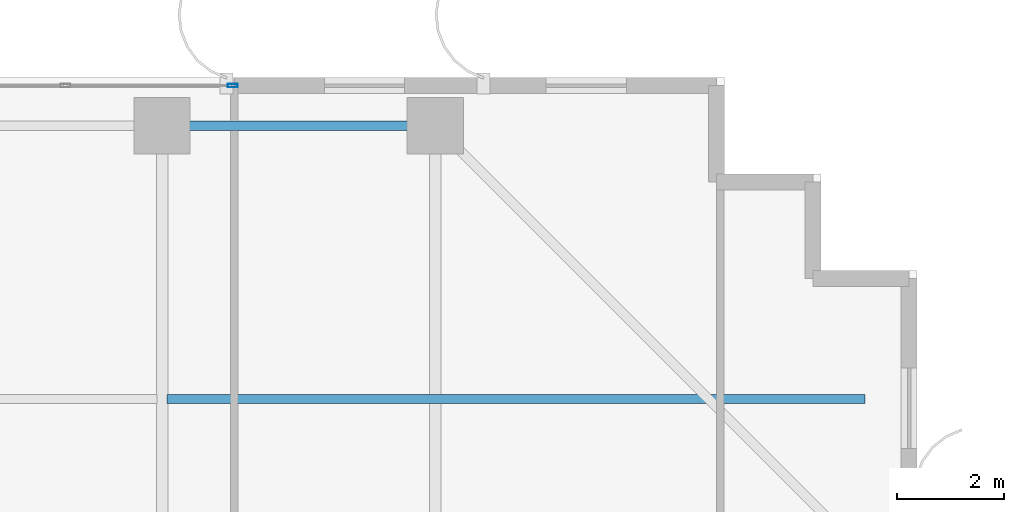
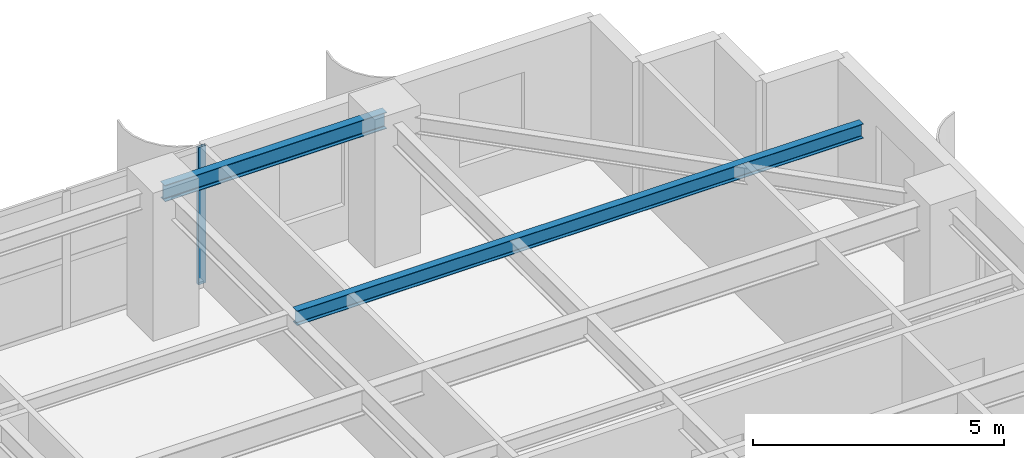
# One storey, part 16 of 25: 2 beams, 1 member, 1 element without a shape of its own.
"""IFC4 building model written with IfcOpenShell, lengths in metres."""

from ifc_helpers import new_model, si_unit, direction, frame, origin, origin_2d, place, context, subcontext, project, spatial, hollow_rectangle, i_section, extrude, source, transform, mapped, material, layer, layer_set, material_profile, profile_set, type_object, element, aggregate, save


model = new_model("IFC4")

# Units and contexts
model_context = context("Model", 3, precision=1e-05, world=origin(), true_north=direction((0.0, 1.0)))
body_context = subcontext(model_context, "Body", "Model", "MODEL_VIEW")
ifc_project = project(units=[si_unit("LENGTHUNIT", "METRE"), si_unit("AREAUNIT", "SQUARE_METRE"), si_unit("VOLUMEUNIT", "CUBIC_METRE"), si_unit("PLANEANGLEUNIT", "RADIAN"), si_unit("MASSUNIT", "GRAM", prefix="KILO")], contexts=[model_context])

# Site, building, storey
site_placement = place(None, origin())
site = spatial("IfcSite", under=ifc_project, at=site_placement, CompositionType="ELEMENT")
building_placement = place(site_placement, origin())
building = spatial("IfcBuilding", under=site, at=building_placement, Name="Khoralis Quay Care Tower", CompositionType="ELEMENT")
storey_placement = place(building_placement, frame((0.0, 0.0, 134.10009765625)))
storey = spatial("IfcBuildingStorey", under=building, at=storey_placement, Name="L35", CompositionType="ELEMENT", Elevation=134.10009765625)

# Beams
ifc_material_1 = material(Name="Steel S355", Category="steel")
ifc_material_profile_1 = material_profile(ifc_material_1, i_section(OverallWidth=0.179931640625, OverallDepth=0.39990234375, WebThickness=0.008544921875, FlangeThickness=0.013427734375, FilletRadius=0.02099609375, at=origin_2d()), Name="Steel S355")
ifc_profile_set_1 = profile_set([ifc_material_profile_1], Name="Steel S355")
beam_type_1 = type_object("IfcBeamType", Name="BM-IPE400", PredefinedType="SPANDREL", material=ifc_profile_set_1)
shared_shape_1 = source(origin(), body_context, "Body", "SweptSolid", [
    extrude(i_section(OverallWidth=0.179931640625, OverallDepth=0.39990234375, WebThickness=0.008544921875, FlangeThickness=0.013427734375, FilletRadius=0.02099609375, at=origin_2d()), origin(), (0.0, 0.0, 1.0), 5.10009765625),
])
beam_1_placement = place(storey_placement, frame((30.89990234375, 44.10009765625, 3.139892578125), z_axis=(1.0, 0.0, 0.0), x_axis=(0.0, 1.0, 0.0)))
element("IfcBeam", 1, at=beam_1_placement, inside=storey, type_object=beam_type_1, Name="BM-TSP-L35-10", PredefinedType="SPANDREL", context=body_context, shape_type="MappedRepresentation", body=[
    mapped(shared_shape_1, transform((0.0, 0.0, 0.0), scale=1.0)),
])
ifc_material_profile_2 = material_profile(ifc_material_1, i_section(OverallWidth=0.1708984375, OverallDepth=0.35498046875, WebThickness=0.007080078125, FlangeThickness=0.01171875, FilletRadius=0.012939453125, at=origin_2d()), Name="Steel S355")
ifc_profile_set_2 = profile_set([ifc_material_profile_2], Name="Steel S355")
beam_type_2 = type_object("IfcBeamType", Name="BM-W360X51", PredefinedType="JOIST", material=ifc_profile_set_2)
shared_shape_2 = source(origin(), body_context, "Body", "SweptSolid", [
    extrude(i_section(OverallWidth=0.1708984375, OverallDepth=0.35498046875, WebThickness=0.007080078125, FlangeThickness=0.01171875, FilletRadius=0.012939453125, at=origin_2d()), origin(), (0.0, 0.0, 1.0), 13.030029296875),
])
beam_2_placement = place(storey_placement, frame((30.993896484375, 39.0, 3.162353515625), z_axis=(1.0, 0.0, 0.0), x_axis=(0.0, 1.0, 0.0)))
element("IfcBeam", 2, at=beam_2_placement, inside=storey, type_object=beam_type_2, Name="BM-TJS-L35-32", PredefinedType="JOIST", context=body_context, shape_type="MappedRepresentation", body=[
    mapped(shared_shape_2, transform((0.0, 0.0, 0.0), scale=1.0)),
])

# Curtain wall, member
ifc_material_2 = material(Name="Pale anodised aluminium", Category="aluminium")
ifc_layer = layer(ifc_material_2, 0.169921875)
ifc_layer_set = layer_set([ifc_layer], Name="Pale anodised aluminium")
curtain_wall_type = type_object("IfcCurtainWallType", Name="CW-SYS-Z2", PredefinedType="NOTDEFINED", material=ifc_layer_set)
curtain_wall_placement = place(storey_placement, origin())
curtain_wall = element("IfcCurtainWall", 3, at=curtain_wall_placement, inside=storey, type_object=curtain_wall_type, Name="L35 Unitised Curtain Wall CW-L35-P1-E10", PredefinedType="NOTDEFINED")
ifc_material_profile_3 = material_profile(ifc_material_2, hollow_rectangle(XDim=0.06494140625, YDim=0.179931640625, WallThickness=0.00390625, at=origin_2d()), Name="Pale anodised aluminium")
ifc_profile_set_3 = profile_set([ifc_material_profile_3], Name="Pale anodised aluminium")
member_type = type_object("IfcMemberType", Name="CW-MUL-180", PredefinedType="MULLION", material=ifc_profile_set_3)
shared_shape_3 = source(origin(), body_context, "Body", "SweptSolid", [
    extrude(hollow_rectangle(XDim=0.06494140625, YDim=0.179931640625, WallThickness=0.00390625, at=origin_2d()), origin(), (0.0, 0.0, 1.0), 3.33984375),
])
member_placement = place(storey_placement, frame((32.219970703125, 44.85009765625, 0.0), z_axis=(0.0, 0.0, 1.0), x_axis=(0.0, -1.0, 0.0)))
member = element("IfcMember", 4, at=member_placement, type_object=member_type, Name="CW2 mullion 1", PredefinedType="MULLION", context=body_context, shape_type="MappedRepresentation", body=[
    mapped(shared_shape_3, transform((0.0, 0.0, 0.0), scale=1.0)),
])
aggregate(curtain_wall, [member])

save(model, "model.ifc")
